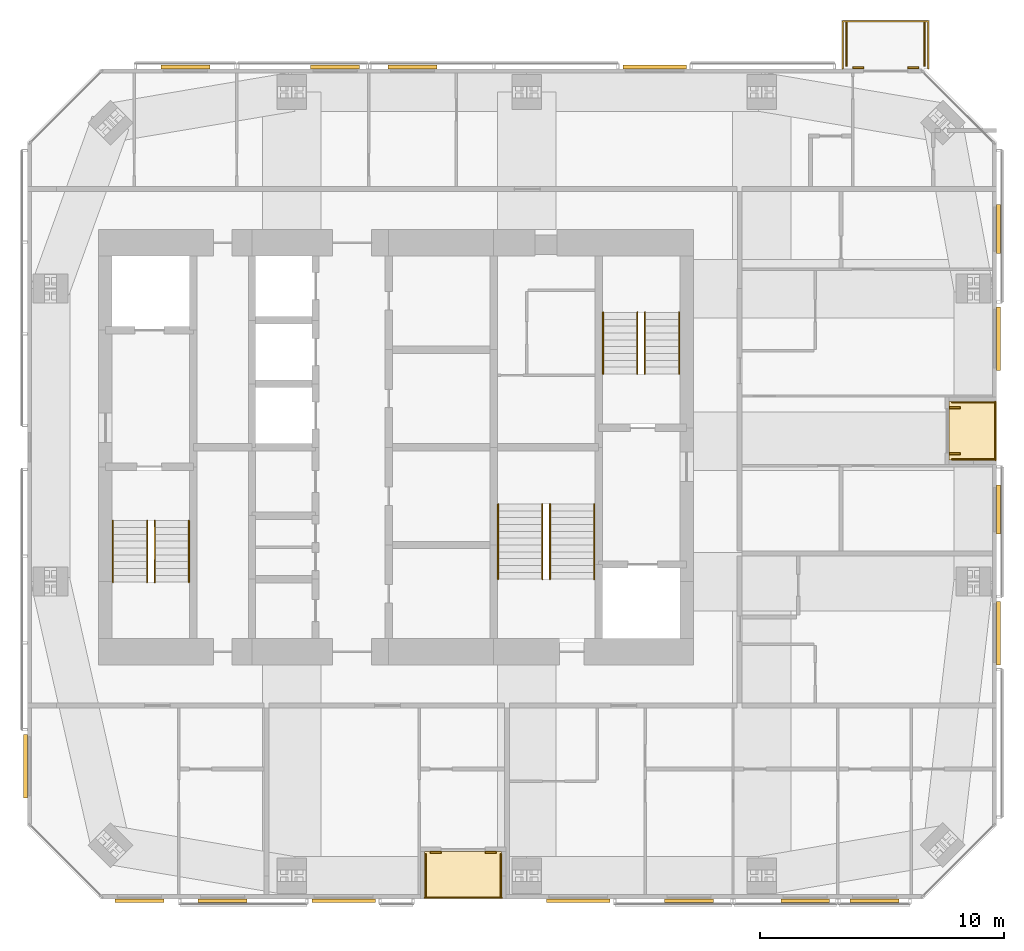
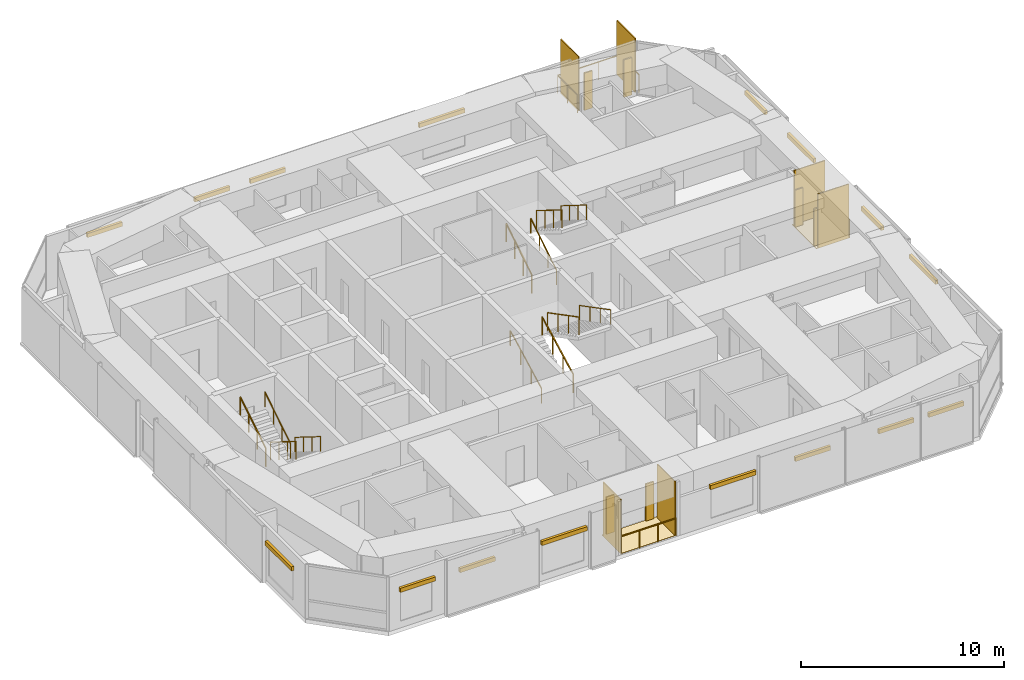
# One storey, part 20 of 20: 28 shading devices, 15 railings, 2 coverings.
"""IFC4 building model written with IfcOpenShell, lengths in metres."""

from ifc_helpers import new_model, si_unit, direction, frame, origin, origin_2d, place, context, subcontext, project, spatial, polyline, rectangle, circle, outline, extrude, material, layer, layer_set, constituent, constituent_set, type_object, element, save


model = new_model("IFC4")

# Units and contexts
model_context = context("Model", 3, precision=1e-05, world=origin(), true_north=direction((0.0, 1.0)))
body_context = subcontext(model_context, "Body", "Model", "MODEL_VIEW")
ifc_project = project(units=[si_unit("LENGTHUNIT", "METRE"), si_unit("AREAUNIT", "SQUARE_METRE"), si_unit("VOLUMEUNIT", "CUBIC_METRE"), si_unit("PLANEANGLEUNIT", "RADIAN"), si_unit("MASSUNIT", "GRAM", prefix="KILO")], contexts=[model_context])

# Site, building, storey
site_placement = place(None, origin())
site = spatial("IfcSite", under=ifc_project, at=site_placement, CompositionType="ELEMENT")
building_placement = place(site_placement, origin())
building = spatial("IfcBuilding", under=site, at=building_placement, Name="Jalousie Tower", CompositionType="ELEMENT")
storey_placement = place(building_placement, frame((0.0, 0.0, 242.449951171875)))
storey = spatial("IfcBuildingStorey", under=building, at=storey_placement, Name="L66", CompositionType="ELEMENT", Elevation=242.449951171875)

# Shading devices
ifc_material_1 = material(Name="Aluminium impact-rated louvred storm shutter", Category="aluminium")
shading_device_type_1 = type_object("IfcShadingDeviceType", Name="BI-FOLD STORM SHUTTER 900x2250", PredefinedType="SHUTTER", material=ifc_material_1)
for number, where, z_axis, x_axis, name in (
    (1, (33.52490234375, 1.909912109375, 0.0), (0.0, 0.0, 1.0), (1.0, 0.0, 0.0), "Loggia storm shutter L66"),
    (2, (35.77490234375, 1.909912109375, 0.0), (0.0, 0.0, 1.0), (1.0, 0.0, 0.0), "Loggia storm shutter L66"),
    (3, (54.77490234375, 18.235107421875, 0.0), (0.0, 0.0, 1.0), (-1.0, 0.0, 0.0), "Loggia storm shutter L66"),
    (4, (54.77490234375, 20.114990234375, 0.0), (0.0, 0.0, 1.0), (-1.0, 0.0, 0.0), "Loggia storm shutter L66"),
    (5, (53.07373046875, 34.0400390625, 0.0), (0.0, 0.0, 1.0), (-1.0, 0.0, 0.0), "Balcony storm shutter L66"),
    (6, (50.82373046875, 34.0400390625, 0.0), (0.0, 0.0, 1.0), (-1.0, 0.0, 0.0), "Balcony storm shutter L66"),
):
    element("IfcShadingDevice", number, at=place(storey_placement, frame(where, z_axis=z_axis, x_axis=x_axis)), inside=storey, type_object=shading_device_type_1, Name=name, PredefinedType="SHUTTER", context=body_context, shape_type="SweptSolid", body=[
        extrude(rectangle(XDim=0.449951171875, YDim=0.080078125, at=origin_2d()), origin(), (0.0, 0.0, 1.0), 2.25),
    ])

# Railings
ifc_material_2 = material(Name="Powder-coated aluminium fretwork", Category="aluminium")
railing_type_1 = type_object("IfcRailingType", Name="FRETWORK BALUSTRADE 1100", PredefinedType="BALUSTRADE", material=ifc_material_2)
railing_1_placement = place(storey_placement, frame((33.074951171875, 0.050048828125, 0.0)))
element("IfcRailing", 7, at=railing_1_placement, inside=storey, type_object=railing_type_1, Name="Loggia fretwork balustrade L66", PredefinedType="BALUSTRADE", context=body_context, shape_type="SweptSolid", body=[
    extrude(rectangle(XDim=0.048095703125, YDim=0.048095703125, at=origin_2d()), frame((0.0, 0.0, 1.076171875), z_axis=(1.0, 0.0, 0.0), x_axis=(0.0, 1.0, 0.0)), (0.0, 0.0, 1.0), 3.150146484375),
    extrude(circle(Radius=0.02099609375, at=origin_2d()), origin(), (0.0, 0.0, 1.0), 1.052001953125),
    extrude(circle(Radius=0.02099609375, at=origin_2d()), frame((1.050048828125, 0.0, 0.0)), (0.0, 0.0, 1.0), 1.052001953125),
    extrude(circle(Radius=0.02099609375, at=origin_2d()), frame((2.10009765625, 0.0, 0.0)), (0.0, 0.0, 1.0), 1.052001953125),
    extrude(circle(Radius=0.02099609375, at=origin_2d()), frame((3.150146484375, 0.0, 0.0)), (0.0, 0.0, 1.0), 1.052001953125),
])
railing_2_placement = place(storey_placement, frame((56.449951171875, 17.97509765625, 0.0)))
element("IfcRailing", 8, at=railing_2_placement, inside=storey, type_object=railing_type_1, Name="Loggia fretwork balustrade L66", PredefinedType="BALUSTRADE", context=body_context, shape_type="SweptSolid", body=[
    extrude(rectangle(XDim=0.048095703125, YDim=0.048095703125, at=origin_2d()), frame((0.0, 0.0, 1.076171875), z_axis=(0.0, 1.0, 0.0), x_axis=(-1.0, 0.0, 0.0)), (0.0, 0.0, 1.0), 2.39990234375),
    extrude(circle(Radius=0.02099609375, at=origin_2d()), origin(), (0.0, 0.0, 1.0), 1.052001953125),
    extrude(circle(Radius=0.02099609375, at=origin_2d()), frame((0.0, 1.199951171875, 0.0)), (0.0, 0.0, 1.0), 1.052001953125),
    extrude(circle(Radius=0.02099609375, at=origin_2d()), frame((0.0, 2.39990234375, 0.0)), (0.0, 0.0, 1.0), 1.052001953125),
])
railing_3_placement = place(storey_placement, frame((53.69873046875, 34.0, 0.0)))
element("IfcRailing", 9, at=railing_3_placement, inside=storey, type_object=railing_type_1, Name="Balcony fretwork balustrade L66", PredefinedType="BALUSTRADE", context=body_context, shape_type="SweptSolid", body=[
    extrude(rectangle(XDim=0.048095703125, YDim=0.048095703125, at=origin_2d()), frame((0.0, 0.0, 1.076171875), z_axis=(0.0, 1.0, 0.0), x_axis=(-1.0, 0.0, 0.0)), (0.0, 0.0, 1.0), 1.949951171875),
    extrude(rectangle(XDim=0.048095703125, YDim=0.048095703125, at=origin_2d()), frame((0.0, 1.949951171875, 1.076171875), z_axis=(-1.0, 0.0, 0.0), x_axis=(0.0, -1.0, 0.0)), (0.0, 0.0, 1.0), 3.5),
    extrude(rectangle(XDim=0.048095703125, YDim=0.048095703125, at=origin_2d()), frame((-3.5, 1.949951171875, 1.076171875), z_axis=(0.0, -1.0, 0.0), x_axis=(1.0, 0.0, 0.0)), (0.0, 0.0, 1.0), 1.949951171875),
    extrude(circle(Radius=0.02099609375, at=origin_2d()), origin(), (0.0, 0.0, 1.0), 1.052001953125),
    extrude(circle(Radius=0.02099609375, at=origin_2d()), frame((0.0, 0.97509765625, 0.0)), (0.0, 0.0, 1.0), 1.052001953125),
    extrude(circle(Radius=0.02099609375, at=origin_2d()), frame((0.0, 1.949951171875, 0.0)), (0.0, 0.0, 1.0), 1.052001953125),
    extrude(circle(Radius=0.02099609375, at=origin_2d()), frame((-1.166748046875, 1.949951171875, 0.0)), (0.0, 0.0, 1.0), 1.052001953125),
    extrude(circle(Radius=0.02099609375, at=origin_2d()), frame((-2.333251953125, 1.949951171875, 0.0)), (0.0, 0.0, 1.0), 1.052001953125),
    extrude(circle(Radius=0.02099609375, at=origin_2d()), frame((-3.5, 1.949951171875, 0.0)), (0.0, 0.0, 1.0), 1.052001953125),
    extrude(circle(Radius=0.02099609375, at=origin_2d()), frame((-3.5, 0.97509765625, 0.0)), (0.0, 0.0, 1.0), 1.052001953125),
    extrude(circle(Radius=0.02099609375, at=origin_2d()), frame((-3.5, 0.0, 0.0)), (0.0, 0.0, 1.0), 1.052001953125),
])

# Shading devices
ifc_material_3 = material(Name="Powder-coated aluminium louvres", Category="aluminium")
ifc_layer_1 = layer(ifc_material_3, 0.06005859375)
ifc_layer_set_1 = layer_set([ifc_layer_1], Name="Powder-coated aluminium louvres")
shading_device_type_2 = type_object("IfcShadingDeviceType", Name="JALOUSIE LOUVRE SCREEN", PredefinedType="JALOUSIE", material=ifc_layer_set_1)
for number, where, z_axis, x_axis, name in (
    (10, (33.10498046875, 0.97509765625, 0.0), (0.0, 0.0, 1.0), (1.0, 0.0, 0.0), "Loggia jalousie louvre screen L66"),
    (11, (36.195068359375, 0.97509765625, 0.0), (0.0, 0.0, 1.0), (1.0, 0.0, 0.0), "Loggia jalousie louvre screen L66"),
    (12, (55.52490234375, 18.0048828125, 0.0), (0.0, 0.0, 1.0), (0.0, 1.0, 0.0), "Loggia jalousie louvre screen L66"),
    (13, (55.52490234375, 20.344970703125, 0.0), (0.0, 0.0, 1.0), (0.0, 1.0, 0.0), "Loggia jalousie louvre screen L66"),
):
    element("IfcShadingDevice", number, at=place(storey_placement, frame(where, z_axis=z_axis, x_axis=x_axis)), inside=storey, type_object=shading_device_type_2, Name=name, PredefinedType="JALOUSIE", context=body_context, shape_type="SweptSolid", body=[
        extrude(rectangle(XDim=0.06005859375, YDim=1.75, at=origin_2d()), origin(), (0.0, 0.0, 1.0), 3.260009765625),
    ])
for number, where, z_axis, x_axis, name in (
    (14, (53.548583984375, 35.0, 0.0), (0.0, 0.0, 1.0), (-1.0, 0.0, 0.0), "Jalousie louvre screen L66"),
    (15, (50.3486328125, 35.0, 0.0), (0.0, 0.0, 1.0), (-1.0, 0.0, 0.0), "Jalousie louvre screen L66"),
):
    element("IfcShadingDevice", number, at=place(storey_placement, frame(where, z_axis=z_axis, x_axis=x_axis)), inside=storey, type_object=shading_device_type_2, Name=name, PredefinedType="JALOUSIE", context=body_context, shape_type="SweptSolid", body=[
        extrude(rectangle(XDim=0.06005859375, YDim=1.800048828125, at=origin_2d()), origin(), (0.0, 0.0, 1.0), 3.260009765625),
    ])

# Railings
ifc_material_4 = material(Name="Steel ASTM A500 Grade C", Category="steel")
ifc_constituent_1 = constituent(ifc_material_4, Name="Body")
ifc_material_5 = material(Name="Hot-dip galvanised zinc coating")
ifc_constituent_2 = constituent(ifc_material_5, Name="Finish")
ifc_constituent_set_1 = constituent_set(constituents=[ifc_constituent_1, ifc_constituent_2])
railing_type_2 = type_object("IfcRailingType", Name="STAIR GUARD 1100", PredefinedType="GUARDRAIL", material=ifc_constituent_set_1)
railing_4_placement = place(storey_placement, frame((22.017578125, 15.49755859375, 0.175048828125)))
element("IfcRailing", 16, at=railing_4_placement, inside=storey, type_object=railing_type_2, Name="Exit stair A guard L66 flight 1", PredefinedType="GUARDRAIL", context=body_context, shape_type="SweptSolid", body=[
    extrude(rectangle(XDim=0.048095703125, YDim=0.048095703125, at=origin_2d()), frame((0.0, 0.0, 1.076171875), z_axis=(0.0, -0.848007534815, 0.529984170421), x_axis=(1.0, 0.0, 0.0)), (0.0, 0.0, 1.0), 2.9716796875),
    extrude(circle(Radius=0.02099609375, at=origin_2d()), origin(), (0.0, 0.0, 1.0), 1.052001953125),
    extrude(circle(Radius=0.02099609375, at=origin_2d()), frame((0.0, -0.840087890625, 0.52490234375)), (0.0, 0.0, 1.0), 1.052001953125),
    extrude(circle(Radius=0.02099609375, at=origin_2d()), frame((0.0, -1.679931640625, 1.050048828125)), (0.0, 0.0, 1.0), 1.052001953125),
    extrude(circle(Radius=0.02099609375, at=origin_2d()), frame((0.0, -2.52001953125, 1.574951171875)), (0.0, 0.0, 1.0), 1.052001953125),
])
for number, where, name in (
    (17, (20.304931640625, 12.9775390625, 1.925048828125), "Exit stair A guard L66 flight 2"),
    (18, (40.3798828125, 21.50244140625, 0.175048828125), "Exit stair B guard L66 flight 1"),
):
    element("IfcRailing", number, at=place(storey_placement, frame(where)), inside=storey, type_object=railing_type_2, Name=name, PredefinedType="GUARDRAIL", context=body_context, shape_type="SweptSolid", body=[
        extrude(rectangle(XDim=0.048095703125, YDim=0.048095703125, at=origin_2d()), frame((0.0, 0.0, 1.076171875), z_axis=(0.0, 0.848007534815, 0.529984170421), x_axis=(-1.0, 0.0, 0.0)), (0.0, 0.0, 1.0), 2.9716796875),
        extrude(circle(Radius=0.02099609375, at=origin_2d()), origin(), (0.0, 0.0, 1.0), 1.052001953125),
        extrude(circle(Radius=0.02099609375, at=origin_2d()), frame((0.0, 0.840087890625, 0.52490234375)), (0.0, 0.0, 1.0), 1.052001953125),
        extrude(circle(Radius=0.02099609375, at=origin_2d()), frame((0.0, 1.679931640625, 1.050048828125)), (0.0, 0.0, 1.0), 1.052001953125),
        extrude(circle(Radius=0.02099609375, at=origin_2d()), frame((0.0, 2.52001953125, 1.574951171875)), (0.0, 0.0, 1.0), 1.052001953125),
    ])
railing_5_placement = place(storey_placement, frame((42.092529296875, 24.0224609375, 1.925048828125)))
element("IfcRailing", 19, at=railing_5_placement, inside=storey, type_object=railing_type_2, Name="Exit stair B guard L66 flight 2", PredefinedType="GUARDRAIL", context=body_context, shape_type="SweptSolid", body=[
    extrude(rectangle(XDim=0.048095703125, YDim=0.048095703125, at=origin_2d()), frame((0.0, 0.0, 1.076171875), z_axis=(0.0, -0.848007534815, 0.529984170421), x_axis=(1.0, 0.0, 0.0)), (0.0, 0.0, 1.0), 2.9716796875),
    extrude(circle(Radius=0.02099609375, at=origin_2d()), origin(), (0.0, 0.0, 1.0), 1.052001953125),
    extrude(circle(Radius=0.02099609375, at=origin_2d()), frame((0.0, -0.840087890625, 0.52490234375)), (0.0, 0.0, 1.0), 1.052001953125),
    extrude(circle(Radius=0.02099609375, at=origin_2d()), frame((0.0, -1.679931640625, 1.050048828125)), (0.0, 0.0, 1.0), 1.052001953125),
    extrude(circle(Radius=0.02099609375, at=origin_2d()), frame((0.0, -2.52001953125, 1.574951171875)), (0.0, 0.0, 1.0), 1.052001953125),
])
railing_6_placement = place(storey_placement, frame((37.89501953125, 13.097412109375, 0.145751953125)))
element("IfcRailing", 20, at=railing_6_placement, inside=storey, type_object=railing_type_2, Name="Exit stair C guard L66 flight 1", PredefinedType="GUARDRAIL", context=body_context, shape_type="SweptSolid", body=[
    extrude(rectangle(XDim=0.048095703125, YDim=0.048095703125, at=origin_2d()), frame((0.0, 0.0, 1.076171875), z_axis=(0.0, 0.886909283822, 0.461943635383), x_axis=(-1.0, 0.0, 0.0)), (0.0, 0.0, 1.0), 3.472900390625),
    extrude(circle(Radius=0.02099609375, at=origin_2d()), origin(), (0.0, 0.0, 1.0), 1.052001953125),
    extrude(circle(Radius=0.02099609375, at=origin_2d()), frame((0.0, 1.026611328125, 0.53466796875)), (0.0, 0.0, 1.0), 1.052001953125),
    extrude(circle(Radius=0.02099609375, at=origin_2d()), frame((0.0, 2.053466796875, 1.069580078125)), (0.0, 0.0, 1.0), 1.052001953125),
    extrude(circle(Radius=0.02099609375, at=origin_2d()), frame((0.0, 3.080078125, 1.604248046875)), (0.0, 0.0, 1.0), 1.052001953125),
])
railing_7_placement = place(storey_placement, frame((38.205078125, 16.177490234375, 1.895751953125)))
element("IfcRailing", 21, at=railing_7_placement, inside=storey, type_object=railing_type_2, Name="Exit stair C guard L66 flight 2", PredefinedType="GUARDRAIL", context=body_context, shape_type="SweptSolid", body=[
    extrude(rectangle(XDim=0.048095703125, YDim=0.048095703125, at=origin_2d()), frame((0.0, 0.0, 1.076171875), z_axis=(0.0, -0.886909283822, 0.461943635383), x_axis=(1.0, 0.0, 0.0)), (0.0, 0.0, 1.0), 3.472900390625),
    extrude(circle(Radius=0.02099609375, at=origin_2d()), origin(), (0.0, 0.0, 1.0), 1.052001953125),
    extrude(circle(Radius=0.02099609375, at=origin_2d()), frame((0.0, -1.026611328125, 0.53466796875)), (0.0, 0.0, 1.0), 1.052001953125),
    extrude(circle(Radius=0.02099609375, at=origin_2d()), frame((0.0, -2.053466796875, 1.069580078125)), (0.0, 0.0, 1.0), 1.052001953125),
    extrude(circle(Radius=0.02099609375, at=origin_2d()), frame((0.0, -3.080078125, 1.604248046875)), (0.0, 0.0, 1.0), 1.052001953125),
])
ifc_material_6 = material(Name="Steel ASTM A500 Grade C", Category="steel")
ifc_constituent_3 = constituent(ifc_material_6, Name="Body")
ifc_material_7 = material(Name="Hot-dip galvanised zinc coating")
ifc_constituent_4 = constituent(ifc_material_7, Name="Finish")
ifc_constituent_set_2 = constituent_set(constituents=[ifc_constituent_3, ifc_constituent_4])
railing_type_3 = type_object("IfcRailingType", Name="STAIR HANDRAIL 900", PredefinedType="HANDRAIL", material=ifc_constituent_set_2)
railing_8_placement = place(storey_placement, frame((23.420166015625, 15.49755859375, 0.175048828125)))
element("IfcRailing", 22, at=railing_8_placement, inside=storey, type_object=railing_type_3, Name="Exit stair A handrail L66 flight 1", PredefinedType="HANDRAIL", context=body_context, shape_type="SweptSolid", body=[
    extrude(circle(Radius=0.02392578125, at=origin_2d()), frame((0.0, 0.0, 0.8759765625), z_axis=(0.0, -0.848007534815, 0.529984170421), x_axis=(1.0, 0.0, 0.0)), (0.0, 0.0, 1.0), 2.9716796875),
    extrude(circle(Radius=0.02099609375, at=origin_2d()), origin(), (0.0, 0.0, 1.0), 0.851806640625),
    extrude(circle(Radius=0.02099609375, at=origin_2d()), frame((0.0, -0.840087890625, 0.52490234375)), (0.0, 0.0, 1.0), 0.851806640625),
    extrude(circle(Radius=0.02099609375, at=origin_2d()), frame((0.0, -1.679931640625, 1.050048828125)), (0.0, 0.0, 1.0), 0.851806640625),
    extrude(circle(Radius=0.02099609375, at=origin_2d()), frame((0.0, -2.52001953125, 1.574951171875)), (0.0, 0.0, 1.0), 0.851806640625),
])
for number, where, name in (
    (23, (21.70751953125, 12.9775390625, 1.925048828125), "Exit stair A handrail L66 flight 2"),
    (24, (41.782470703125, 21.50244140625, 0.175048828125), "Exit stair B handrail L66 flight 1"),
):
    element("IfcRailing", number, at=place(storey_placement, frame(where)), inside=storey, type_object=railing_type_3, Name=name, PredefinedType="HANDRAIL", context=body_context, shape_type="SweptSolid", body=[
        extrude(circle(Radius=0.02392578125, at=origin_2d()), frame((0.0, 0.0, 0.8759765625), z_axis=(0.0, 0.848007534815, 0.529984170421), x_axis=(-1.0, 0.0, 0.0)), (0.0, 0.0, 1.0), 2.9716796875),
        extrude(circle(Radius=0.02099609375, at=origin_2d()), origin(), (0.0, 0.0, 1.0), 0.851806640625),
        extrude(circle(Radius=0.02099609375, at=origin_2d()), frame((0.0, 0.840087890625, 0.52490234375)), (0.0, 0.0, 1.0), 0.851806640625),
        extrude(circle(Radius=0.02099609375, at=origin_2d()), frame((0.0, 1.679931640625, 1.050048828125)), (0.0, 0.0, 1.0), 0.851806640625),
        extrude(circle(Radius=0.02099609375, at=origin_2d()), frame((0.0, 2.52001953125, 1.574951171875)), (0.0, 0.0, 1.0), 0.851806640625),
    ])
railing_9_placement = place(storey_placement, frame((43.4951171875, 24.0224609375, 1.925048828125)))
element("IfcRailing", 25, at=railing_9_placement, inside=storey, type_object=railing_type_3, Name="Exit stair B handrail L66 flight 2", PredefinedType="HANDRAIL", context=body_context, shape_type="SweptSolid", body=[
    extrude(circle(Radius=0.02392578125, at=origin_2d()), frame((0.0, 0.0, 0.8759765625), z_axis=(0.0, -0.848007534815, 0.529984170421), x_axis=(1.0, 0.0, 0.0)), (0.0, 0.0, 1.0), 2.9716796875),
    extrude(circle(Radius=0.02099609375, at=origin_2d()), origin(), (0.0, 0.0, 1.0), 0.851806640625),
    extrude(circle(Radius=0.02099609375, at=origin_2d()), frame((0.0, -0.840087890625, 0.52490234375)), (0.0, 0.0, 1.0), 0.851806640625),
    extrude(circle(Radius=0.02099609375, at=origin_2d()), frame((0.0, -1.679931640625, 1.050048828125)), (0.0, 0.0, 1.0), 0.851806640625),
    extrude(circle(Radius=0.02099609375, at=origin_2d()), frame((0.0, -2.52001953125, 1.574951171875)), (0.0, 0.0, 1.0), 0.851806640625),
])
railing_10_placement = place(storey_placement, frame((36.080078125, 13.097412109375, 0.145751953125)))
element("IfcRailing", 26, at=railing_10_placement, inside=storey, type_object=railing_type_3, Name="Exit stair C handrail L66 flight 1", PredefinedType="HANDRAIL", context=body_context, shape_type="SweptSolid", body=[
    extrude(circle(Radius=0.02392578125, at=origin_2d()), frame((0.0, 0.0, 0.8759765625), z_axis=(0.0, 0.886909283822, 0.461943635383), x_axis=(-1.0, 0.0, 0.0)), (0.0, 0.0, 1.0), 3.472900390625),
    extrude(circle(Radius=0.02099609375, at=origin_2d()), origin(), (0.0, 0.0, 1.0), 0.851806640625),
    extrude(circle(Radius=0.02099609375, at=origin_2d()), frame((0.0, 1.026611328125, 0.53466796875)), (0.0, 0.0, 1.0), 0.851806640625),
    extrude(circle(Radius=0.02099609375, at=origin_2d()), frame((0.0, 2.053466796875, 1.069580078125)), (0.0, 0.0, 1.0), 0.851806640625),
    extrude(circle(Radius=0.02099609375, at=origin_2d()), frame((0.0, 3.080078125, 1.604248046875)), (0.0, 0.0, 1.0), 0.851806640625),
])
railing_11_placement = place(storey_placement, frame((40.02001953125, 16.177490234375, 1.895751953125)))
element("IfcRailing", 27, at=railing_11_placement, inside=storey, type_object=railing_type_3, Name="Exit stair C handrail L66 flight 2", PredefinedType="HANDRAIL", context=body_context, shape_type="SweptSolid", body=[
    extrude(circle(Radius=0.02392578125, at=origin_2d()), frame((0.0, 0.0, 0.8759765625), z_axis=(0.0, -0.886909283822, 0.461943635383), x_axis=(1.0, 0.0, 0.0)), (0.0, 0.0, 1.0), 3.472900390625),
    extrude(circle(Radius=0.02099609375, at=origin_2d()), origin(), (0.0, 0.0, 1.0), 0.851806640625),
    extrude(circle(Radius=0.02099609375, at=origin_2d()), frame((0.0, -1.026611328125, 0.53466796875)), (0.0, 0.0, 1.0), 0.851806640625),
    extrude(circle(Radius=0.02099609375, at=origin_2d()), frame((0.0, -2.053466796875, 1.069580078125)), (0.0, 0.0, 1.0), 0.851806640625),
    extrude(circle(Radius=0.02099609375, at=origin_2d()), frame((0.0, -3.080078125, 1.604248046875)), (0.0, 0.0, 1.0), 0.851806640625),
])

# Shading devices
ifc_material_8 = material(Name="Aluminium roller storm shutter", Category="aluminium")
shading_device_type_3 = type_object("IfcShadingDeviceType", Name="STORM SHUTTER HOUSING", PredefinedType="SHUTTER", material=ifc_material_8)
for number, where, z_axis, x_axis, name in (
    (28, (21.3876953125, -0.074951171875, 2.25), (0.0, 0.0, 1.0), (1.0, 0.0, 0.0), "Storm shutter L66"),
    (29, (24.800048828125, -0.074951171875, 2.25), (0.0, 0.0, 1.0), (1.0, 0.0, 0.0), "Storm shutter L66"),
):
    element("IfcShadingDevice", number, at=place(storey_placement, frame(where, z_axis=z_axis, x_axis=x_axis)), inside=storey, type_object=shading_device_type_3, Name=name, PredefinedType="SHUTTER", context=body_context, shape_type="SweptSolid", body=[
        extrude(rectangle(XDim=2.0, YDim=0.14990234375, at=origin_2d()), origin(), (0.0, 0.0, 1.0), 0.25),
    ])
for number, where, z_axis, x_axis, name in (
    (30, (29.75, -0.074951171875, 2.25), (0.0, 0.0, 1.0), (1.0, 0.0, 0.0), "Storm shutter L66"),
    (31, (39.360107421875, -0.074951171875, 2.25), (0.0, 0.0, 1.0), (1.0, 0.0, 0.0), "Storm shutter L66"),
):
    element("IfcShadingDevice", number, at=place(storey_placement, frame(where, z_axis=z_axis, x_axis=x_axis)), inside=storey, type_object=shading_device_type_3, Name=name, PredefinedType="SHUTTER", context=body_context, shape_type="SweptSolid", body=[
        extrude(rectangle(XDim=2.60009765625, YDim=0.14990234375, at=origin_2d()), origin(), (0.0, 0.0, 1.0), 0.25),
    ])
for number, where, z_axis, x_axis, name in (
    (32, (43.89990234375, -0.074951171875, 2.25), (0.0, 0.0, 1.0), (1.0, 0.0, 0.0), "Storm shutter L66"),
    (33, (48.657470703125, -0.074951171875, 2.25), (0.0, 0.0, 1.0), (1.0, 0.0, 0.0), "Storm shutter L66"),
    (34, (51.5, -0.074951171875, 2.25), (0.0, 0.0, 1.0), (1.0, 0.0, 0.0), "Storm shutter L66"),
):
    element("IfcShadingDevice", number, at=place(storey_placement, frame(where, z_axis=z_axis, x_axis=x_axis)), inside=storey, type_object=shading_device_type_3, Name=name, PredefinedType="SHUTTER", context=body_context, shape_type="SweptSolid", body=[
        extrude(rectangle(XDim=2.0, YDim=0.14990234375, at=origin_2d()), origin(), (0.0, 0.0, 1.0), 0.25),
    ])
shading_device_1_placement = place(storey_placement, frame((56.574951171875, 10.891357421875, 2.25), z_axis=(0.0, 0.0, 1.0), x_axis=(0.0, 1.0, 0.0)))
element("IfcShadingDevice", 35, at=shading_device_1_placement, inside=storey, type_object=shading_device_type_3, Name="Storm shutter L66", PredefinedType="SHUTTER", context=body_context, shape_type="SweptSolid", body=[
    extrude(rectangle(XDim=2.60009765625, YDim=0.14990234375, at=origin_2d()), origin(), (0.0, 0.0, 1.0), 0.25),
])
shading_device_2_placement = place(storey_placement, frame((56.574951171875, 15.949951171875, 2.25), z_axis=(0.0, 0.0, 1.0), x_axis=(0.0, 1.0, 0.0)))
element("IfcShadingDevice", 36, at=shading_device_2_placement, inside=storey, type_object=shading_device_type_3, Name="Storm shutter L66", PredefinedType="SHUTTER", context=body_context, shape_type="SweptSolid", body=[
    extrude(rectangle(XDim=2.0, YDim=0.14990234375, at=origin_2d()), origin(), (0.0, 0.0, 1.0), 0.25),
])
shading_device_3_placement = place(storey_placement, frame((56.574951171875, 22.949951171875, 2.25), z_axis=(0.0, 0.0, 1.0), x_axis=(0.0, 1.0, 0.0)))
element("IfcShadingDevice", 37, at=shading_device_3_placement, inside=storey, type_object=shading_device_type_3, Name="Storm shutter L66", PredefinedType="SHUTTER", context=body_context, shape_type="SweptSolid", body=[
    extrude(rectangle(XDim=2.60009765625, YDim=0.14990234375, at=origin_2d()), origin(), (0.0, 0.0, 1.0), 0.25),
])
shading_device_4_placement = place(storey_placement, frame((56.574951171875, 27.4375, 2.25), z_axis=(0.0, 0.0, 1.0), x_axis=(0.0, 1.0, 0.0)))
element("IfcShadingDevice", 38, at=shading_device_4_placement, inside=storey, type_object=shading_device_type_3, Name="Storm shutter L66", PredefinedType="SHUTTER", context=body_context, shape_type="SweptSolid", body=[
    extrude(rectangle(XDim=2.0, YDim=0.14990234375, at=origin_2d()), origin(), (0.0, 0.0, 1.0), 0.25),
])
shading_device_5_placement = place(storey_placement, frame((42.48876953125, 34.074951171875, 2.25), z_axis=(0.0, 0.0, 1.0), x_axis=(-1.0, 0.0, 0.0)))
element("IfcShadingDevice", 39, at=shading_device_5_placement, inside=storey, type_object=shading_device_type_3, Name="Storm shutter L66", PredefinedType="SHUTTER", context=body_context, shape_type="SweptSolid", body=[
    extrude(rectangle(XDim=2.60009765625, YDim=0.14990234375, at=origin_2d()), origin(), (0.0, 0.0, 1.0), 0.25),
])
for number, where, z_axis, x_axis, name in (
    (40, (32.574951171875, 34.074951171875, 2.25), (0.0, 0.0, 1.0), (-1.0, 0.0, 0.0), "Storm shutter L66"),
    (41, (29.405029296875, 34.074951171875, 2.25), (0.0, 0.0, 1.0), (-1.0, 0.0, 0.0), "Storm shutter L66"),
    (42, (23.275634765625, 34.074951171875, 2.25), (0.0, 0.0, 1.0), (-1.0, 0.0, 0.0), "Storm shutter L66"),
):
    element("IfcShadingDevice", number, at=place(storey_placement, frame(where, z_axis=z_axis, x_axis=x_axis)), inside=storey, type_object=shading_device_type_3, Name=name, PredefinedType="SHUTTER", context=body_context, shape_type="SweptSolid", body=[
        extrude(rectangle(XDim=2.0, YDim=0.14990234375, at=origin_2d()), origin(), (0.0, 0.0, 1.0), 0.25),
    ])
shading_device_6_placement = place(storey_placement, frame((16.72509765625, 5.43798828125, 2.25), z_axis=(0.0, 0.0, 1.0), x_axis=(0.0, -1.0, 0.0)))
element("IfcShadingDevice", 43, at=shading_device_6_placement, inside=storey, type_object=shading_device_type_3, Name="Storm shutter L66", PredefinedType="SHUTTER", context=body_context, shape_type="SweptSolid", body=[
    extrude(rectangle(XDim=2.60009765625, YDim=0.14990234375, at=origin_2d()), origin(), (0.0, 0.0, 1.0), 0.25),
])

# Coverings
ifc_material_9 = material(Name="Porcelain paving on adjustable pedestals", Category="masonry")
ifc_layer_2 = layer(ifc_material_9, 0.02001953125)
ifc_layer_set_2 = layer_set([ifc_layer_2], Name="Porcelain paving on adjustable pedestals")
covering_type = type_object("IfcCoveringType", Name="TERRACE PAVING 20", PredefinedType="FLOORING", material=ifc_layer_set_2)
covering_1_placement = place(storey_placement, origin())
element("IfcCovering", 44, at=covering_1_placement, inside=storey, type_object=covering_type, Name="Apartment 6602 terrace paving", PredefinedType="FLOORING", context=body_context, shape_type="SweptSolid", body=[
    extrude(outline(polyline([(33.074951171875, 0.080078125), (36.22509765625, 0.080078125), (36.22509765625, 1.949951171875), (33.074951171875, 1.949951171875), (33.074951171875, 0.080078125)])), origin(), (0.0, 0.0, 1.0), 0.02001953125),
])
covering_2_placement = place(storey_placement, origin())
element("IfcCovering", 45, at=covering_2_placement, inside=storey, type_object=covering_type, Name="Apartment 6606 terrace paving", PredefinedType="FLOORING", context=body_context, shape_type="SweptSolid", body=[
    extrude(outline(polyline([(56.419921875, 17.97509765625), (56.419921875, 20.375), (54.550048828125, 20.375), (54.550048828125, 17.97509765625), (56.419921875, 17.97509765625)])), origin(), (0.0, 0.0, 1.0), 0.02001953125),
])

save(model, "model.ifc")
